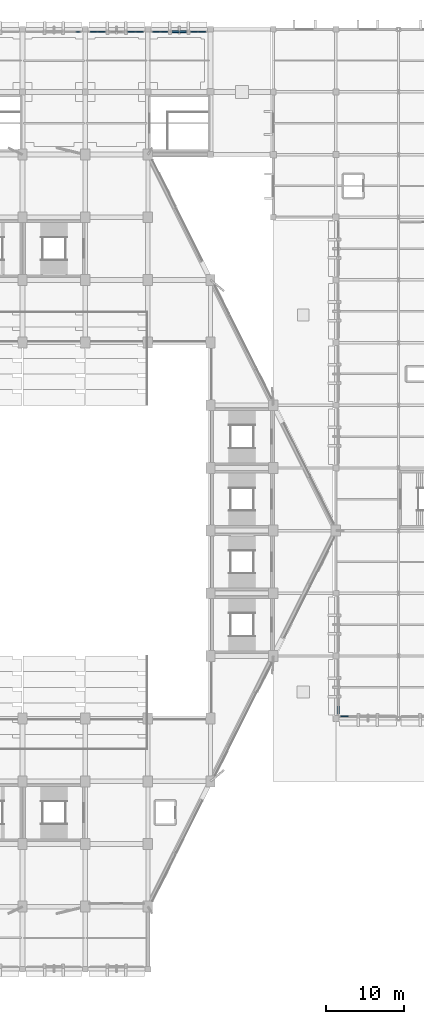
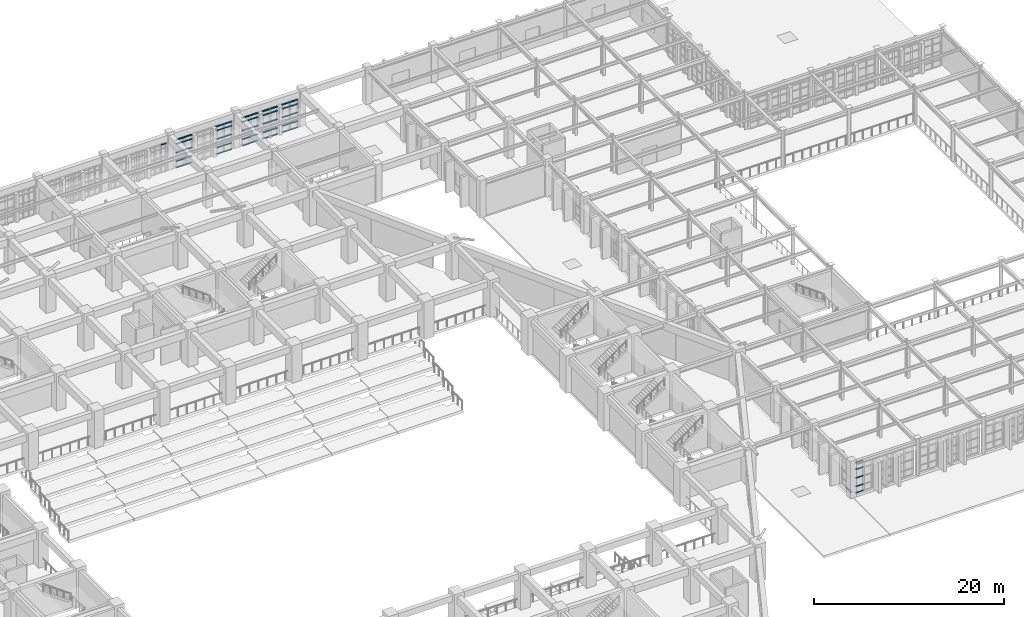
# One storey, part 73 of 155: 57 members, 8 elements without a shape of their own.
"""IFC4 building model written with IfcOpenShell, lengths in metres."""

from ifc_helpers import new_model, si_unit, direction, frame, origin, origin_2d, place, context, subcontext, project, spatial, rectangle, extrude, material, layer, layer_set, material_profile, profile_set, type_object, element, aggregate, save


model = new_model("IFC4")

# Units and contexts
model_context = context("Model", 3, precision=1e-05, world=origin(), true_north=direction((0.0, 1.0)))
body_context = subcontext(model_context, "Body", "Model", "MODEL_VIEW")
ifc_project = project(units=[si_unit("LENGTHUNIT", "METRE"), si_unit("AREAUNIT", "SQUARE_METRE"), si_unit("VOLUMEUNIT", "CUBIC_METRE"), si_unit("PLANEANGLEUNIT", "RADIAN"), si_unit("MASSUNIT", "GRAM", prefix="KILO")], contexts=[model_context])

# Site, building, storey
site_placement = place(None, origin())
site = spatial("IfcSite", under=ifc_project, at=site_placement, CompositionType="ELEMENT")
building_placement = place(site_placement, origin())
building = spatial("IfcBuilding", under=site, at=building_placement, Name="Tazarka Park Arena", CompositionType="ELEMENT")
storey_placement = place(building_placement, frame((0.0, 0.0, 5.39990234375)))
storey = spatial("IfcBuildingStorey", under=building, at=storey_placement, Name="L01", CompositionType="ELEMENT", Elevation=5.39990234375)

# Curtain wall, members
ifc_material_1 = material(Name="Aluminium and low-e glass", Category="aluminium")
ifc_layer_1 = layer(ifc_material_1, 0.179931640625, Name="Aluminium and low-e glass")
ifc_layer_set_1 = layer_set([ifc_layer_1], Name="Aluminium and low-e glass")
curtain_wall_type_1 = type_object("IfcCurtainWallType", Name="CW-27", PredefinedType="NOTDEFINED", material=ifc_layer_set_1)
curtain_wall_1_placement = place(storey_placement, origin())
curtain_wall_1 = element("IfcCurtainWall", 1, at=curtain_wall_1_placement, inside=storey, type_object=curtain_wall_type_1, Name="Curtain Wall CWA-L01-027", PredefinedType="NOTDEFINED")
ifc_material_2 = material(Name="Aluminium 6060-T66", Category="aluminium")
ifc_material_profile_1 = material_profile(ifc_material_2, rectangle(XDim=0.139892578125, YDim=0.06494140625, at=origin_2d()), Name="Aluminium 6060-T66")
ifc_profile_set_1 = profile_set([ifc_material_profile_1], Name="Aluminium 6060-T66")
member_type_1 = type_object("IfcMemberType", Name="CWT-01", PredefinedType="USERDEFINED", material=ifc_profile_set_1)
member_1_placement = place(storey_placement, frame((117.456787109375, 127.679931640625, 0.03271484375), z_axis=(1.0, 0.0, 0.0), x_axis=(0.0, 1.0, 0.0)))
member_1 = element("IfcMember", 2, at=member_1_placement, type_object=member_type_1, Name="CW-27 transom 1.1", ObjectType="TRANSOM", PredefinedType="USERDEFINED", context=body_context, shape_type="SweptSolid", body=[
    extrude(rectangle(XDim=0.139892578125, YDim=0.06494140625, at=origin_2d()), origin(), (0.0, 0.0, 1.0), 0.928955078125),
])
member_2_placement = place(storey_placement, frame((117.456787109375, 127.679931640625, 0.85009765625), z_axis=(1.0, 0.0, 0.0), x_axis=(0.0, 1.0, 0.0)))
member_2 = element("IfcMember", 3, at=member_2_placement, type_object=member_type_1, Name="CW-27 transom 1.2", ObjectType="TRANSOM", PredefinedType="USERDEFINED", context=body_context, shape_type="SweptSolid", body=[
    extrude(rectangle(XDim=0.139892578125, YDim=0.06494140625, at=origin_2d()), origin(), (0.0, 0.0, 1.0), 0.928955078125),
])
member_3_placement = place(storey_placement, frame((117.456787109375, 127.679931640625, 1.9501953125), z_axis=(1.0, 0.0, 0.0), x_axis=(0.0, 1.0, 0.0)))
member_3 = element("IfcMember", 4, at=member_3_placement, type_object=member_type_1, Name="CW-27 transom 1.3", ObjectType="TRANSOM", PredefinedType="USERDEFINED", context=body_context, shape_type="SweptSolid", body=[
    extrude(rectangle(XDim=0.139892578125, YDim=0.06494140625, at=origin_2d()), origin(), (0.0, 0.0, 1.0), 0.928955078125),
])
member_4_placement = place(storey_placement, frame((117.456787109375, 127.679931640625, 3.050048828125), z_axis=(1.0, 0.0, 0.0), x_axis=(0.0, 1.0, 0.0)))
member_4 = element("IfcMember", 5, at=member_4_placement, type_object=member_type_1, Name="CW-27 transom 1.4", ObjectType="TRANSOM", PredefinedType="USERDEFINED", context=body_context, shape_type="SweptSolid", body=[
    extrude(rectangle(XDim=0.139892578125, YDim=0.06494140625, at=origin_2d()), origin(), (0.0, 0.0, 1.0), 0.928955078125),
])
member_5_placement = place(storey_placement, frame((117.456787109375, 127.679931640625, 3.567626953125), z_axis=(1.0, 0.0, 0.0), x_axis=(0.0, 1.0, 0.0)))
member_5 = element("IfcMember", 6, at=member_5_placement, type_object=member_type_1, Name="CW-27 transom 1.5", ObjectType="TRANSOM", PredefinedType="USERDEFINED", context=body_context, shape_type="SweptSolid", body=[
    extrude(rectangle(XDim=0.139892578125, YDim=0.06494140625, at=origin_2d()), origin(), (0.0, 0.0, 1.0), 0.928955078125),
])
member_6_placement = place(storey_placement, frame((118.450927734375, 127.679931640625, 0.03271484375), z_axis=(1.0, 0.0, 0.0), x_axis=(0.0, 1.0, 0.0)))
member_6 = element("IfcMember", 7, at=member_6_placement, type_object=member_type_1, Name="CW-27 transom 2.1", ObjectType="TRANSOM", PredefinedType="USERDEFINED", context=body_context, shape_type="SweptSolid", body=[
    extrude(rectangle(XDim=0.139892578125, YDim=0.06494140625, at=origin_2d()), origin(), (0.0, 0.0, 1.0), 0.928955078125),
])
member_7_placement = place(storey_placement, frame((118.450927734375, 127.679931640625, 0.85009765625), z_axis=(1.0, 0.0, 0.0), x_axis=(0.0, 1.0, 0.0)))
member_7 = element("IfcMember", 8, at=member_7_placement, type_object=member_type_1, Name="CW-27 transom 2.2", ObjectType="TRANSOM", PredefinedType="USERDEFINED", context=body_context, shape_type="SweptSolid", body=[
    extrude(rectangle(XDim=0.139892578125, YDim=0.06494140625, at=origin_2d()), origin(), (0.0, 0.0, 1.0), 0.928955078125),
])
member_8_placement = place(storey_placement, frame((118.450927734375, 127.679931640625, 1.9501953125), z_axis=(1.0, 0.0, 0.0), x_axis=(0.0, 1.0, 0.0)))
member_8 = element("IfcMember", 9, at=member_8_placement, type_object=member_type_1, Name="CW-27 transom 2.3", ObjectType="TRANSOM", PredefinedType="USERDEFINED", context=body_context, shape_type="SweptSolid", body=[
    extrude(rectangle(XDim=0.139892578125, YDim=0.06494140625, at=origin_2d()), origin(), (0.0, 0.0, 1.0), 0.928955078125),
])
member_9_placement = place(storey_placement, frame((118.450927734375, 127.679931640625, 3.050048828125), z_axis=(1.0, 0.0, 0.0), x_axis=(0.0, 1.0, 0.0)))
member_9 = element("IfcMember", 10, at=member_9_placement, type_object=member_type_1, Name="CW-27 transom 2.4", ObjectType="TRANSOM", PredefinedType="USERDEFINED", context=body_context, shape_type="SweptSolid", body=[
    extrude(rectangle(XDim=0.139892578125, YDim=0.06494140625, at=origin_2d()), origin(), (0.0, 0.0, 1.0), 0.928955078125),
])
member_10_placement = place(storey_placement, frame((118.450927734375, 127.679931640625, 3.567626953125), z_axis=(1.0, 0.0, 0.0), x_axis=(0.0, 1.0, 0.0)))
member_10 = element("IfcMember", 11, at=member_10_placement, type_object=member_type_1, Name="CW-27 transom 2.5", ObjectType="TRANSOM", PredefinedType="USERDEFINED", context=body_context, shape_type="SweptSolid", body=[
    extrude(rectangle(XDim=0.139892578125, YDim=0.06494140625, at=origin_2d()), origin(), (0.0, 0.0, 1.0), 0.928955078125),
])
aggregate(curtain_wall_1, [member_1, member_2, member_3, member_4, member_5, member_6, member_7, member_8, member_9, member_10])

ifc_material_3 = material(Name="Aluminium and low-e glass", Category="aluminium")
ifc_layer_2 = layer(ifc_material_3, 0.179931640625, Name="Aluminium and low-e glass")
ifc_layer_set_2 = layer_set([ifc_layer_2], Name="Aluminium and low-e glass")
curtain_wall_type_2 = type_object("IfcCurtainWallType", Name="CW-30", PredefinedType="NOTDEFINED", material=ifc_layer_set_2)
curtain_wall_2_placement = place(storey_placement, origin())
curtain_wall_2 = element("IfcCurtainWall", 12, at=curtain_wall_2_placement, inside=storey, type_object=curtain_wall_type_2, Name="Curtain Wall CWA-L01-030", PredefinedType="NOTDEFINED")
member_11_placement = place(storey_placement, frame((109.456787109375, 127.679931640625, 0.03271484375), z_axis=(1.0, 0.0, 0.0), x_axis=(0.0, 1.0, 0.0)))
member_11 = element("IfcMember", 13, at=member_11_placement, type_object=member_type_1, Name="CW-30 transom 1.1", ObjectType="TRANSOM", PredefinedType="USERDEFINED", context=body_context, shape_type="SweptSolid", body=[
    extrude(rectangle(XDim=0.139892578125, YDim=0.06494140625, at=origin_2d()), origin(), (0.0, 0.0, 1.0), 0.928955078125),
])
member_12_placement = place(storey_placement, frame((109.456787109375, 127.679931640625, 0.85009765625), z_axis=(1.0, 0.0, 0.0), x_axis=(0.0, 1.0, 0.0)))
member_12 = element("IfcMember", 14, at=member_12_placement, type_object=member_type_1, Name="CW-30 transom 1.2", ObjectType="TRANSOM", PredefinedType="USERDEFINED", context=body_context, shape_type="SweptSolid", body=[
    extrude(rectangle(XDim=0.139892578125, YDim=0.06494140625, at=origin_2d()), origin(), (0.0, 0.0, 1.0), 0.928955078125),
])
member_13_placement = place(storey_placement, frame((109.456787109375, 127.679931640625, 1.9501953125), z_axis=(1.0, 0.0, 0.0), x_axis=(0.0, 1.0, 0.0)))
member_13 = element("IfcMember", 15, at=member_13_placement, type_object=member_type_1, Name="CW-30 transom 1.3", ObjectType="TRANSOM", PredefinedType="USERDEFINED", context=body_context, shape_type="SweptSolid", body=[
    extrude(rectangle(XDim=0.139892578125, YDim=0.06494140625, at=origin_2d()), origin(), (0.0, 0.0, 1.0), 0.928955078125),
])
member_14_placement = place(storey_placement, frame((109.456787109375, 127.679931640625, 3.050048828125), z_axis=(1.0, 0.0, 0.0), x_axis=(0.0, 1.0, 0.0)))
member_14 = element("IfcMember", 16, at=member_14_placement, type_object=member_type_1, Name="CW-30 transom 1.4", ObjectType="TRANSOM", PredefinedType="USERDEFINED", context=body_context, shape_type="SweptSolid", body=[
    extrude(rectangle(XDim=0.139892578125, YDim=0.06494140625, at=origin_2d()), origin(), (0.0, 0.0, 1.0), 0.928955078125),
])
member_15_placement = place(storey_placement, frame((109.456787109375, 127.679931640625, 3.567626953125), z_axis=(1.0, 0.0, 0.0), x_axis=(0.0, 1.0, 0.0)))
member_15 = element("IfcMember", 17, at=member_15_placement, type_object=member_type_1, Name="CW-30 transom 1.5", ObjectType="TRANSOM", PredefinedType="USERDEFINED", context=body_context, shape_type="SweptSolid", body=[
    extrude(rectangle(XDim=0.139892578125, YDim=0.06494140625, at=origin_2d()), origin(), (0.0, 0.0, 1.0), 0.928955078125),
])
member_16_placement = place(storey_placement, frame((110.450927734375, 127.679931640625, 0.03271484375), z_axis=(1.0, 0.0, 0.0), x_axis=(0.0, 1.0, 0.0)))
member_16 = element("IfcMember", 18, at=member_16_placement, type_object=member_type_1, Name="CW-30 transom 2.1", ObjectType="TRANSOM", PredefinedType="USERDEFINED", context=body_context, shape_type="SweptSolid", body=[
    extrude(rectangle(XDim=0.139892578125, YDim=0.06494140625, at=origin_2d()), origin(), (0.0, 0.0, 1.0), 0.928955078125),
])
member_17_placement = place(storey_placement, frame((110.450927734375, 127.679931640625, 0.85009765625), z_axis=(1.0, 0.0, 0.0), x_axis=(0.0, 1.0, 0.0)))
member_17 = element("IfcMember", 19, at=member_17_placement, type_object=member_type_1, Name="CW-30 transom 2.2", ObjectType="TRANSOM", PredefinedType="USERDEFINED", context=body_context, shape_type="SweptSolid", body=[
    extrude(rectangle(XDim=0.139892578125, YDim=0.06494140625, at=origin_2d()), origin(), (0.0, 0.0, 1.0), 0.928955078125),
])
member_18_placement = place(storey_placement, frame((110.450927734375, 127.679931640625, 1.9501953125), z_axis=(1.0, 0.0, 0.0), x_axis=(0.0, 1.0, 0.0)))
member_18 = element("IfcMember", 20, at=member_18_placement, type_object=member_type_1, Name="CW-30 transom 2.3", ObjectType="TRANSOM", PredefinedType="USERDEFINED", context=body_context, shape_type="SweptSolid", body=[
    extrude(rectangle(XDim=0.139892578125, YDim=0.06494140625, at=origin_2d()), origin(), (0.0, 0.0, 1.0), 0.928955078125),
])
member_19_placement = place(storey_placement, frame((110.450927734375, 127.679931640625, 3.050048828125), z_axis=(1.0, 0.0, 0.0), x_axis=(0.0, 1.0, 0.0)))
member_19 = element("IfcMember", 21, at=member_19_placement, type_object=member_type_1, Name="CW-30 transom 2.4", ObjectType="TRANSOM", PredefinedType="USERDEFINED", context=body_context, shape_type="SweptSolid", body=[
    extrude(rectangle(XDim=0.139892578125, YDim=0.06494140625, at=origin_2d()), origin(), (0.0, 0.0, 1.0), 0.928955078125),
])
member_20_placement = place(storey_placement, frame((110.450927734375, 127.679931640625, 3.567626953125), z_axis=(1.0, 0.0, 0.0), x_axis=(0.0, 1.0, 0.0)))
member_20 = element("IfcMember", 22, at=member_20_placement, type_object=member_type_1, Name="CW-30 transom 2.5", ObjectType="TRANSOM", PredefinedType="USERDEFINED", context=body_context, shape_type="SweptSolid", body=[
    extrude(rectangle(XDim=0.139892578125, YDim=0.06494140625, at=origin_2d()), origin(), (0.0, 0.0, 1.0), 0.928955078125),
])
aggregate(curtain_wall_2, [member_11, member_12, member_13, member_14, member_15, member_16, member_17, member_18, member_19, member_20])

# Curtain wall, member
ifc_material_4 = material(Name="Aluminium and low-e glass", Category="aluminium")
ifc_layer_3 = layer(ifc_material_4, 0.179931640625, Name="Aluminium and low-e glass")
ifc_layer_set_3 = layer_set([ifc_layer_3], Name="Aluminium and low-e glass")
curtain_wall_type_3 = type_object("IfcCurtainWallType", Name="CW-03", PredefinedType="NOTDEFINED", material=ifc_layer_set_3)
curtain_wall_3_placement = place(storey_placement, origin())
curtain_wall_3 = element("IfcCurtainWall", 23, at=curtain_wall_3_placement, inside=storey, type_object=curtain_wall_type_3, Name="Curtain Wall CWA-L01-033", PredefinedType="NOTDEFINED")
member_21_placement = place(storey_placement, frame((102.79296875, 127.679931640625, 3.567626953125), z_axis=(1.0, 0.0, 0.0), x_axis=(0.0, 1.0, 0.0)))
member_21 = element("IfcMember", 24, at=member_21_placement, type_object=member_type_1, Name="CW-03 transom 3.5", ObjectType="TRANSOM", PredefinedType="USERDEFINED", context=body_context, shape_type="SweptSolid", body=[
    extrude(rectangle(XDim=0.139892578125, YDim=0.06494140625, at=origin_2d()), origin(), (0.0, 0.0, 1.0), 0.5869140625),
])
aggregate(curtain_wall_3, [member_21])

# Curtain wall, members
ifc_material_5 = material(Name="Aluminium and low-e glass", Category="aluminium")
ifc_layer_4 = layer(ifc_material_5, 0.179931640625, Name="Aluminium and low-e glass")
ifc_layer_set_4 = layer_set([ifc_layer_4], Name="Aluminium and low-e glass")
curtain_wall_type_4 = type_object("IfcCurtainWallType", Name="CW-18", PredefinedType="NOTDEFINED", material=ifc_layer_set_4)
curtain_wall_4_placement = place(storey_placement, origin())
curtain_wall_4 = element("IfcCurtainWall", 25, at=curtain_wall_4_placement, inside=storey, type_object=curtain_wall_type_4, Name="Curtain Wall CWA-L01-168", PredefinedType="NOTDEFINED")
member_22_placement = place(storey_placement, frame((137.577880859375, 40.320068359375, 0.03271484375), z_axis=(-1.0, 0.0, 0.0), x_axis=(0.0, -1.0, 0.0)))
member_22 = element("IfcMember", 26, at=member_22_placement, type_object=member_type_1, Name="CW-18 transom 2.1", ObjectType="TRANSOM", PredefinedType="USERDEFINED", context=body_context, shape_type="SweptSolid", body=[
    extrude(rectangle(XDim=0.139892578125, YDim=0.06494140625, at=origin_2d()), origin(), (0.0, 0.0, 1.0), 0.957763671875),
])
member_23_placement = place(storey_placement, frame((137.577880859375, 40.320068359375, 0.85009765625), z_axis=(-1.0, 0.0, 0.0), x_axis=(0.0, -1.0, 0.0)))
member_23 = element("IfcMember", 27, at=member_23_placement, type_object=member_type_1, Name="CW-18 transom 2.2", ObjectType="TRANSOM", PredefinedType="USERDEFINED", context=body_context, shape_type="SweptSolid", body=[
    extrude(rectangle(XDim=0.139892578125, YDim=0.06494140625, at=origin_2d()), origin(), (0.0, 0.0, 1.0), 0.957763671875),
])
member_24_placement = place(storey_placement, frame((137.577880859375, 40.320068359375, 1.9501953125), z_axis=(-1.0, 0.0, 0.0), x_axis=(0.0, -1.0, 0.0)))
member_24 = element("IfcMember", 28, at=member_24_placement, type_object=member_type_1, Name="CW-18 transom 2.3", ObjectType="TRANSOM", PredefinedType="USERDEFINED", context=body_context, shape_type="SweptSolid", body=[
    extrude(rectangle(XDim=0.139892578125, YDim=0.06494140625, at=origin_2d()), origin(), (0.0, 0.0, 1.0), 0.957763671875),
])
member_25_placement = place(storey_placement, frame((137.577880859375, 40.320068359375, 3.050048828125), z_axis=(-1.0, 0.0, 0.0), x_axis=(0.0, -1.0, 0.0)))
member_25 = element("IfcMember", 29, at=member_25_placement, type_object=member_type_1, Name="CW-18 transom 2.4", ObjectType="TRANSOM", PredefinedType="USERDEFINED", context=body_context, shape_type="SweptSolid", body=[
    extrude(rectangle(XDim=0.139892578125, YDim=0.06494140625, at=origin_2d()), origin(), (0.0, 0.0, 1.0), 0.957763671875),
])
member_26_placement = place(storey_placement, frame((137.577880859375, 40.320068359375, 3.877685546875), z_axis=(-1.0, 0.0, 0.0), x_axis=(0.0, -1.0, 0.0)))
member_26 = element("IfcMember", 30, at=member_26_placement, type_object=member_type_1, Name="CW-18 transom 2.5", ObjectType="TRANSOM", PredefinedType="USERDEFINED", context=body_context, shape_type="SweptSolid", body=[
    extrude(rectangle(XDim=0.139892578125, YDim=0.06494140625, at=origin_2d()), origin(), (0.0, 0.0, 1.0), 0.957763671875),
])
aggregate(curtain_wall_4, [member_22, member_23, member_24, member_25, member_26])

ifc_material_6 = material(Name="Aluminium and low-e glass", Category="aluminium")
ifc_layer_5 = layer(ifc_material_6, 0.179931640625, Name="Aluminium and low-e glass")
ifc_layer_set_5 = layer_set([ifc_layer_5], Name="Aluminium and low-e glass")
curtain_wall_type_5 = type_object("IfcCurtainWallType", Name="CW-25", PredefinedType="NOTDEFINED", material=ifc_layer_set_5)
curtain_wall_5_placement = place(storey_placement, origin())
curtain_wall_5 = element("IfcCurtainWall", 31, at=curtain_wall_5_placement, inside=storey, type_object=curtain_wall_type_5, Name="Curtain Wall CWA-L01-025", PredefinedType="NOTDEFINED")
ifc_material_7 = material(Name="Aluminium 6060-T66", Category="aluminium")
ifc_material_profile_2 = material_profile(ifc_material_7, rectangle(XDim=0.179931640625, YDim=0.06494140625, at=origin_2d()), Name="Aluminium 6060-T66")
ifc_profile_set_2 = profile_set([ifc_material_profile_2], Name="Aluminium 6060-T66")
member_type_2 = type_object("IfcMemberType", Name="CWT-02", PredefinedType="USERDEFINED", material=ifc_profile_set_2)
member_27_placement = place(storey_placement, frame((112.6201171875, 127.679931640625, 0.03271484375), z_axis=(1.0, 0.0, 0.0), x_axis=(0.0, 1.0, 0.0)))
member_27 = element("IfcMember", 32, at=member_27_placement, type_object=member_type_2, Name="CW-25 transom 1.1", ObjectType="TRANSOM", PredefinedType="USERDEFINED", context=body_context, shape_type="SweptSolid", body=[
    extrude(rectangle(XDim=0.179931640625, YDim=0.06494140625, at=origin_2d()), origin(), (0.0, 0.0, 1.0), 0.928955078125),
])
member_28_placement = place(storey_placement, frame((112.6201171875, 127.679931640625, 0.85009765625), z_axis=(1.0, 0.0, 0.0), x_axis=(0.0, 1.0, 0.0)))
member_28 = element("IfcMember", 33, at=member_28_placement, type_object=member_type_2, Name="CW-25 transom 1.2", ObjectType="TRANSOM", PredefinedType="USERDEFINED", context=body_context, shape_type="SweptSolid", body=[
    extrude(rectangle(XDim=0.179931640625, YDim=0.06494140625, at=origin_2d()), origin(), (0.0, 0.0, 1.0), 0.928955078125),
])
member_29_placement = place(storey_placement, frame((112.6201171875, 127.679931640625, 1.9501953125), z_axis=(1.0, 0.0, 0.0), x_axis=(0.0, 1.0, 0.0)))
member_29 = element("IfcMember", 34, at=member_29_placement, type_object=member_type_2, Name="CW-25 transom 1.3", ObjectType="TRANSOM", PredefinedType="USERDEFINED", context=body_context, shape_type="SweptSolid", body=[
    extrude(rectangle(XDim=0.179931640625, YDim=0.06494140625, at=origin_2d()), origin(), (0.0, 0.0, 1.0), 0.928955078125),
])
member_30_placement = place(storey_placement, frame((112.6201171875, 127.679931640625, 3.050048828125), z_axis=(1.0, 0.0, 0.0), x_axis=(0.0, 1.0, 0.0)))
member_30 = element("IfcMember", 35, at=member_30_placement, type_object=member_type_2, Name="CW-25 transom 1.4", ObjectType="TRANSOM", PredefinedType="USERDEFINED", context=body_context, shape_type="SweptSolid", body=[
    extrude(rectangle(XDim=0.179931640625, YDim=0.06494140625, at=origin_2d()), origin(), (0.0, 0.0, 1.0), 0.928955078125),
])
member_31_placement = place(storey_placement, frame((112.6201171875, 127.679931640625, 3.567626953125), z_axis=(1.0, 0.0, 0.0), x_axis=(0.0, 1.0, 0.0)))
member_31 = element("IfcMember", 36, at=member_31_placement, type_object=member_type_2, Name="CW-25 transom 1.5", ObjectType="TRANSOM", PredefinedType="USERDEFINED", context=body_context, shape_type="SweptSolid", body=[
    extrude(rectangle(XDim=0.179931640625, YDim=0.06494140625, at=origin_2d()), origin(), (0.0, 0.0, 1.0), 0.928955078125),
])
member_32_placement = place(storey_placement, frame((113.6142578125, 127.679931640625, 0.03271484375), z_axis=(1.0, 0.0, 0.0), x_axis=(0.0, 1.0, 0.0)))
member_32 = element("IfcMember", 37, at=member_32_placement, type_object=member_type_2, Name="CW-25 transom 2.1", ObjectType="TRANSOM", PredefinedType="USERDEFINED", context=body_context, shape_type="SweptSolid", body=[
    extrude(rectangle(XDim=0.179931640625, YDim=0.06494140625, at=origin_2d()), origin(), (0.0, 0.0, 1.0), 0.928955078125),
])
member_33_placement = place(storey_placement, frame((113.6142578125, 127.679931640625, 0.85009765625), z_axis=(1.0, 0.0, 0.0), x_axis=(0.0, 1.0, 0.0)))
member_33 = element("IfcMember", 38, at=member_33_placement, type_object=member_type_2, Name="CW-25 transom 2.2", ObjectType="TRANSOM", PredefinedType="USERDEFINED", context=body_context, shape_type="SweptSolid", body=[
    extrude(rectangle(XDim=0.179931640625, YDim=0.06494140625, at=origin_2d()), origin(), (0.0, 0.0, 1.0), 0.928955078125),
])
member_34_placement = place(storey_placement, frame((113.6142578125, 127.679931640625, 1.9501953125), z_axis=(1.0, 0.0, 0.0), x_axis=(0.0, 1.0, 0.0)))
member_34 = element("IfcMember", 39, at=member_34_placement, type_object=member_type_2, Name="CW-25 transom 2.3", ObjectType="TRANSOM", PredefinedType="USERDEFINED", context=body_context, shape_type="SweptSolid", body=[
    extrude(rectangle(XDim=0.179931640625, YDim=0.06494140625, at=origin_2d()), origin(), (0.0, 0.0, 1.0), 0.928955078125),
])
member_35_placement = place(storey_placement, frame((113.6142578125, 127.679931640625, 3.050048828125), z_axis=(1.0, 0.0, 0.0), x_axis=(0.0, 1.0, 0.0)))
member_35 = element("IfcMember", 40, at=member_35_placement, type_object=member_type_2, Name="CW-25 transom 2.4", ObjectType="TRANSOM", PredefinedType="USERDEFINED", context=body_context, shape_type="SweptSolid", body=[
    extrude(rectangle(XDim=0.179931640625, YDim=0.06494140625, at=origin_2d()), origin(), (0.0, 0.0, 1.0), 0.928955078125),
])
member_36_placement = place(storey_placement, frame((113.6142578125, 127.679931640625, 3.567626953125), z_axis=(1.0, 0.0, 0.0), x_axis=(0.0, 1.0, 0.0)))
member_36 = element("IfcMember", 41, at=member_36_placement, type_object=member_type_2, Name="CW-25 transom 2.5", ObjectType="TRANSOM", PredefinedType="USERDEFINED", context=body_context, shape_type="SweptSolid", body=[
    extrude(rectangle(XDim=0.179931640625, YDim=0.06494140625, at=origin_2d()), origin(), (0.0, 0.0, 1.0), 0.928955078125),
])
aggregate(curtain_wall_5, [member_27, member_28, member_29, member_30, member_31, member_32, member_33, member_34, member_35, member_36])

ifc_material_8 = material(Name="Aluminium and low-e glass", Category="aluminium")
ifc_layer_6 = layer(ifc_material_8, 0.179931640625, Name="Aluminium and low-e glass")
ifc_layer_set_6 = layer_set([ifc_layer_6], Name="Aluminium and low-e glass")
curtain_wall_type_6 = type_object("IfcCurtainWallType", Name="CW-28", PredefinedType="NOTDEFINED", material=ifc_layer_set_6)
curtain_wall_6_placement = place(storey_placement, origin())
curtain_wall_6 = element("IfcCurtainWall", 42, at=curtain_wall_6_placement, inside=storey, type_object=curtain_wall_type_6, Name="Curtain Wall CWA-L01-028", PredefinedType="NOTDEFINED")
member_37_placement = place(storey_placement, frame((104.6201171875, 127.679931640625, 0.03271484375), z_axis=(1.0, 0.0, 0.0), x_axis=(0.0, 1.0, 0.0)))
member_37 = element("IfcMember", 43, at=member_37_placement, type_object=member_type_2, Name="CW-28 transom 1.1", ObjectType="TRANSOM", PredefinedType="USERDEFINED", context=body_context, shape_type="SweptSolid", body=[
    extrude(rectangle(XDim=0.179931640625, YDim=0.06494140625, at=origin_2d()), origin(), (0.0, 0.0, 1.0), 0.928955078125),
])
member_38_placement = place(storey_placement, frame((104.6201171875, 127.679931640625, 0.85009765625), z_axis=(1.0, 0.0, 0.0), x_axis=(0.0, 1.0, 0.0)))
member_38 = element("IfcMember", 44, at=member_38_placement, type_object=member_type_2, Name="CW-28 transom 1.2", ObjectType="TRANSOM", PredefinedType="USERDEFINED", context=body_context, shape_type="SweptSolid", body=[
    extrude(rectangle(XDim=0.179931640625, YDim=0.06494140625, at=origin_2d()), origin(), (0.0, 0.0, 1.0), 0.928955078125),
])
member_39_placement = place(storey_placement, frame((104.6201171875, 127.679931640625, 1.9501953125), z_axis=(1.0, 0.0, 0.0), x_axis=(0.0, 1.0, 0.0)))
member_39 = element("IfcMember", 45, at=member_39_placement, type_object=member_type_2, Name="CW-28 transom 1.3", ObjectType="TRANSOM", PredefinedType="USERDEFINED", context=body_context, shape_type="SweptSolid", body=[
    extrude(rectangle(XDim=0.179931640625, YDim=0.06494140625, at=origin_2d()), origin(), (0.0, 0.0, 1.0), 0.928955078125),
])
member_40_placement = place(storey_placement, frame((104.6201171875, 127.679931640625, 3.050048828125), z_axis=(1.0, 0.0, 0.0), x_axis=(0.0, 1.0, 0.0)))
member_40 = element("IfcMember", 46, at=member_40_placement, type_object=member_type_2, Name="CW-28 transom 1.4", ObjectType="TRANSOM", PredefinedType="USERDEFINED", context=body_context, shape_type="SweptSolid", body=[
    extrude(rectangle(XDim=0.179931640625, YDim=0.06494140625, at=origin_2d()), origin(), (0.0, 0.0, 1.0), 0.928955078125),
])
member_41_placement = place(storey_placement, frame((104.6201171875, 127.679931640625, 3.567626953125), z_axis=(1.0, 0.0, 0.0), x_axis=(0.0, 1.0, 0.0)))
member_41 = element("IfcMember", 47, at=member_41_placement, type_object=member_type_2, Name="CW-28 transom 1.5", ObjectType="TRANSOM", PredefinedType="USERDEFINED", context=body_context, shape_type="SweptSolid", body=[
    extrude(rectangle(XDim=0.179931640625, YDim=0.06494140625, at=origin_2d()), origin(), (0.0, 0.0, 1.0), 0.928955078125),
])
member_42_placement = place(storey_placement, frame((105.6142578125, 127.679931640625, 0.03271484375), z_axis=(1.0, 0.0, 0.0), x_axis=(0.0, 1.0, 0.0)))
member_42 = element("IfcMember", 48, at=member_42_placement, type_object=member_type_2, Name="CW-28 transom 2.1", ObjectType="TRANSOM", PredefinedType="USERDEFINED", context=body_context, shape_type="SweptSolid", body=[
    extrude(rectangle(XDim=0.179931640625, YDim=0.06494140625, at=origin_2d()), origin(), (0.0, 0.0, 1.0), 0.928955078125),
])
member_43_placement = place(storey_placement, frame((105.6142578125, 127.679931640625, 0.85009765625), z_axis=(1.0, 0.0, 0.0), x_axis=(0.0, 1.0, 0.0)))
member_43 = element("IfcMember", 49, at=member_43_placement, type_object=member_type_2, Name="CW-28 transom 2.2", ObjectType="TRANSOM", PredefinedType="USERDEFINED", context=body_context, shape_type="SweptSolid", body=[
    extrude(rectangle(XDim=0.179931640625, YDim=0.06494140625, at=origin_2d()), origin(), (0.0, 0.0, 1.0), 0.928955078125),
])
member_44_placement = place(storey_placement, frame((105.6142578125, 127.679931640625, 1.9501953125), z_axis=(1.0, 0.0, 0.0), x_axis=(0.0, 1.0, 0.0)))
member_44 = element("IfcMember", 50, at=member_44_placement, type_object=member_type_2, Name="CW-28 transom 2.3", ObjectType="TRANSOM", PredefinedType="USERDEFINED", context=body_context, shape_type="SweptSolid", body=[
    extrude(rectangle(XDim=0.179931640625, YDim=0.06494140625, at=origin_2d()), origin(), (0.0, 0.0, 1.0), 0.928955078125),
])
member_45_placement = place(storey_placement, frame((105.6142578125, 127.679931640625, 3.050048828125), z_axis=(1.0, 0.0, 0.0), x_axis=(0.0, 1.0, 0.0)))
member_45 = element("IfcMember", 51, at=member_45_placement, type_object=member_type_2, Name="CW-28 transom 2.4", ObjectType="TRANSOM", PredefinedType="USERDEFINED", context=body_context, shape_type="SweptSolid", body=[
    extrude(rectangle(XDim=0.179931640625, YDim=0.06494140625, at=origin_2d()), origin(), (0.0, 0.0, 1.0), 0.928955078125),
])
member_46_placement = place(storey_placement, frame((105.6142578125, 127.679931640625, 3.567626953125), z_axis=(1.0, 0.0, 0.0), x_axis=(0.0, 1.0, 0.0)))
member_46 = element("IfcMember", 52, at=member_46_placement, type_object=member_type_2, Name="CW-28 transom 2.5", ObjectType="TRANSOM", PredefinedType="USERDEFINED", context=body_context, shape_type="SweptSolid", body=[
    extrude(rectangle(XDim=0.179931640625, YDim=0.06494140625, at=origin_2d()), origin(), (0.0, 0.0, 1.0), 0.928955078125),
])
aggregate(curtain_wall_6, [member_37, member_38, member_39, member_40, member_41, member_42, member_43, member_44, member_45, member_46])

# Curtain wall, member
ifc_material_9 = material(Name="Aluminium and low-e glass", Category="aluminium")
ifc_layer_7 = layer(ifc_material_9, 0.179931640625, Name="Aluminium and low-e glass")
ifc_layer_set_7 = layer_set([ifc_layer_7], Name="Aluminium and low-e glass")
curtain_wall_type_7 = type_object("IfcCurtainWallType", Name="CW-13", PredefinedType="NOTDEFINED", material=ifc_layer_set_7)
curtain_wall_7_placement = place(storey_placement, origin())
curtain_wall_7 = element("IfcCurtainWall", 53, at=curtain_wall_7_placement, inside=storey, type_object=curtain_wall_type_7, Name="Curtain Wall CWA-L01-163", PredefinedType="NOTDEFINED")
member_47_placement = place(storey_placement, frame((136.320068359375, 40.6201171875, 0.03271484375), z_axis=(0.0, 1.0, 0.0), x_axis=(-1.0, 0.0, 0.0)))
member_47 = element("IfcMember", 54, at=member_47_placement, type_object=member_type_2, Name="CW-13 transom 1.1", ObjectType="TRANSOM", PredefinedType="USERDEFINED", context=body_context, shape_type="SweptSolid", body=[
    extrude(rectangle(XDim=0.179931640625, YDim=0.06494140625, at=origin_2d()), origin(), (0.0, 0.0, 1.0), 0.928955078125),
])
aggregate(curtain_wall_7, [member_47])

# Curtain wall, members
ifc_material_10 = material(Name="Aluminium and low-e glass", Category="aluminium")
ifc_layer_8 = layer(ifc_material_10, 0.179931640625, Name="Aluminium and low-e glass")
ifc_layer_set_8 = layer_set([ifc_layer_8], Name="Aluminium and low-e glass")
curtain_wall_type_8 = type_object("IfcCurtainWallType", Name="CW-26", PredefinedType="NOTDEFINED", material=ifc_layer_set_8)
curtain_wall_8_placement = place(storey_placement, origin())
curtain_wall_8 = element("IfcCurtainWall", 55, at=curtain_wall_8_placement, inside=storey, type_object=curtain_wall_type_8, Name="Curtain Wall CWA-L01-026", PredefinedType="NOTDEFINED")
ifc_material_11 = material(Name="Aluminium 6060-T66", Category="aluminium")
ifc_material_profile_3 = material_profile(ifc_material_11, rectangle(XDim=0.2099609375, YDim=0.074951171875, at=origin_2d()), Name="Aluminium 6060-T66")
ifc_profile_set_3 = profile_set([ifc_material_profile_3], Name="Aluminium 6060-T66")
member_type_3 = type_object("IfcMemberType", Name="CWT-03", PredefinedType="USERDEFINED", material=ifc_profile_set_3)
member_48_placement = place(storey_placement, frame((115.103271484375, 127.679931640625, 0.03759765625), z_axis=(1.0, 0.0, 0.0), x_axis=(0.0, 1.0, 0.0)))
member_48 = element("IfcMember", 56, at=member_48_placement, type_object=member_type_3, Name="CW-26 transom 1.1", ObjectType="TRANSOM", PredefinedType="USERDEFINED", context=body_context, shape_type="SweptSolid", body=[
    extrude(rectangle(XDim=0.2099609375, YDim=0.074951171875, at=origin_2d()), origin(), (0.0, 0.0, 1.0), 0.859130859375),
])
member_49_placement = place(storey_placement, frame((115.103271484375, 127.679931640625, 0.85009765625), z_axis=(1.0, 0.0, 0.0), x_axis=(0.0, 1.0, 0.0)))
member_49 = element("IfcMember", 57, at=member_49_placement, type_object=member_type_3, Name="CW-26 transom 1.2", ObjectType="TRANSOM", PredefinedType="USERDEFINED", context=body_context, shape_type="SweptSolid", body=[
    extrude(rectangle(XDim=0.2099609375, YDim=0.074951171875, at=origin_2d()), origin(), (0.0, 0.0, 1.0), 0.859130859375),
])
member_50_placement = place(storey_placement, frame((115.103271484375, 127.679931640625, 1.9501953125), z_axis=(1.0, 0.0, 0.0), x_axis=(0.0, 1.0, 0.0)))
member_50 = element("IfcMember", 58, at=member_50_placement, type_object=member_type_3, Name="CW-26 transom 1.3", ObjectType="TRANSOM", PredefinedType="USERDEFINED", context=body_context, shape_type="SweptSolid", body=[
    extrude(rectangle(XDim=0.2099609375, YDim=0.074951171875, at=origin_2d()), origin(), (0.0, 0.0, 1.0), 0.859130859375),
])
member_51_placement = place(storey_placement, frame((115.103271484375, 127.679931640625, 3.050048828125), z_axis=(1.0, 0.0, 0.0), x_axis=(0.0, 1.0, 0.0)))
member_51 = element("IfcMember", 59, at=member_51_placement, type_object=member_type_3, Name="CW-26 transom 1.4", ObjectType="TRANSOM", PredefinedType="USERDEFINED", context=body_context, shape_type="SweptSolid", body=[
    extrude(rectangle(XDim=0.2099609375, YDim=0.074951171875, at=origin_2d()), origin(), (0.0, 0.0, 1.0), 0.859130859375),
])
member_52_placement = place(storey_placement, frame((115.103271484375, 127.679931640625, 3.5625), z_axis=(1.0, 0.0, 0.0), x_axis=(0.0, 1.0, 0.0)))
member_52 = element("IfcMember", 60, at=member_52_placement, type_object=member_type_3, Name="CW-26 transom 1.5", ObjectType="TRANSOM", PredefinedType="USERDEFINED", context=body_context, shape_type="SweptSolid", body=[
    extrude(rectangle(XDim=0.2099609375, YDim=0.074951171875, at=origin_2d()), origin(), (0.0, 0.0, 1.0), 0.859130859375),
])
member_53_placement = place(storey_placement, frame((116.03759765625, 127.679931640625, 0.03759765625), z_axis=(1.0, 0.0, 0.0), x_axis=(0.0, 1.0, 0.0)))
member_53 = element("IfcMember", 61, at=member_53_placement, type_object=member_type_3, Name="CW-26 transom 2.1", ObjectType="TRANSOM", PredefinedType="USERDEFINED", context=body_context, shape_type="SweptSolid", body=[
    extrude(rectangle(XDim=0.2099609375, YDim=0.074951171875, at=origin_2d()), origin(), (0.0, 0.0, 1.0), 0.859130859375),
])
member_54_placement = place(storey_placement, frame((116.03759765625, 127.679931640625, 0.85009765625), z_axis=(1.0, 0.0, 0.0), x_axis=(0.0, 1.0, 0.0)))
member_54 = element("IfcMember", 62, at=member_54_placement, type_object=member_type_3, Name="CW-26 transom 2.2", ObjectType="TRANSOM", PredefinedType="USERDEFINED", context=body_context, shape_type="SweptSolid", body=[
    extrude(rectangle(XDim=0.2099609375, YDim=0.074951171875, at=origin_2d()), origin(), (0.0, 0.0, 1.0), 0.859130859375),
])
member_55_placement = place(storey_placement, frame((116.03759765625, 127.679931640625, 1.9501953125), z_axis=(1.0, 0.0, 0.0), x_axis=(0.0, 1.0, 0.0)))
member_55 = element("IfcMember", 63, at=member_55_placement, type_object=member_type_3, Name="CW-26 transom 2.3", ObjectType="TRANSOM", PredefinedType="USERDEFINED", context=body_context, shape_type="SweptSolid", body=[
    extrude(rectangle(XDim=0.2099609375, YDim=0.074951171875, at=origin_2d()), origin(), (0.0, 0.0, 1.0), 0.859130859375),
])
member_56_placement = place(storey_placement, frame((116.03759765625, 127.679931640625, 3.050048828125), z_axis=(1.0, 0.0, 0.0), x_axis=(0.0, 1.0, 0.0)))
member_56 = element("IfcMember", 64, at=member_56_placement, type_object=member_type_3, Name="CW-26 transom 2.4", ObjectType="TRANSOM", PredefinedType="USERDEFINED", context=body_context, shape_type="SweptSolid", body=[
    extrude(rectangle(XDim=0.2099609375, YDim=0.074951171875, at=origin_2d()), origin(), (0.0, 0.0, 1.0), 0.859130859375),
])
member_57_placement = place(storey_placement, frame((116.03759765625, 127.679931640625, 3.5625), z_axis=(1.0, 0.0, 0.0), x_axis=(0.0, 1.0, 0.0)))
member_57 = element("IfcMember", 65, at=member_57_placement, type_object=member_type_3, Name="CW-26 transom 2.5", ObjectType="TRANSOM", PredefinedType="USERDEFINED", context=body_context, shape_type="SweptSolid", body=[
    extrude(rectangle(XDim=0.2099609375, YDim=0.074951171875, at=origin_2d()), origin(), (0.0, 0.0, 1.0), 0.859130859375),
])
aggregate(curtain_wall_8, [member_48, member_49, member_50, member_51, member_52, member_53, member_54, member_55, member_56, member_57])

save(model, "model.ifc")
